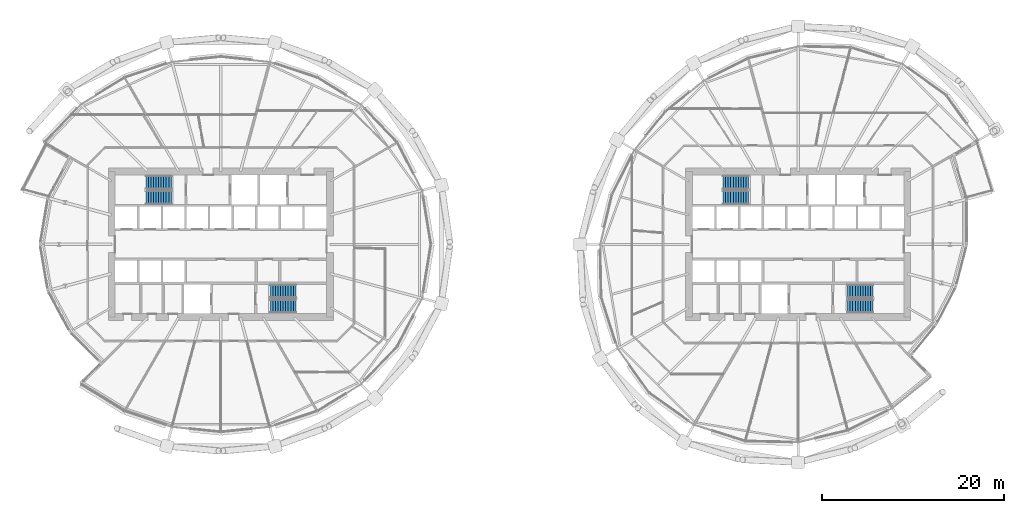
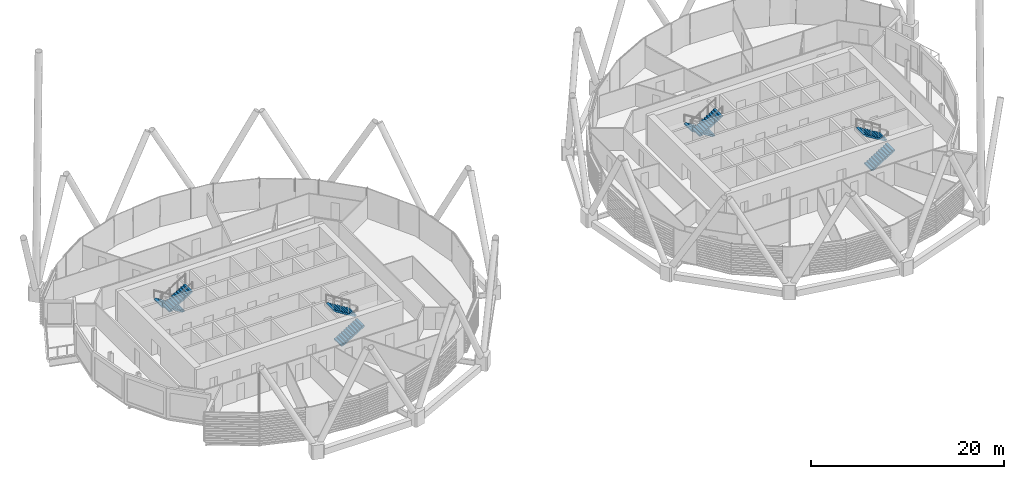
# One storey, part 33 of 39: 8 stair flights, 4 elements without a shape of their own.
"""IFC4 building model written with IfcOpenShell, lengths in metres."""

from ifc_helpers import new_model, si_unit, direction, frame, origin, place, context, subcontext, project, spatial, polyline, outline, extrude, material, type_object, element, aggregate, save


model = new_model("IFC4")

# Units and contexts
model_context = context("Model", 3, precision=1e-05, world=origin(), true_north=direction((0.0, 1.0)))
body_context = subcontext(model_context, "Body", "Model", "MODEL_VIEW")
ifc_project = project(units=[si_unit("LENGTHUNIT", "METRE"), si_unit("AREAUNIT", "SQUARE_METRE"), si_unit("VOLUMEUNIT", "CUBIC_METRE"), si_unit("PLANEANGLEUNIT", "RADIAN"), si_unit("MASSUNIT", "GRAM", prefix="KILO")], contexts=[model_context])

# Site, building, storey
site_placement = place(None, origin())
site = spatial("IfcSite", under=ifc_project, at=site_placement, CompositionType="ELEMENT")
building_placement = place(site_placement, origin())
building = spatial("IfcBuilding", under=site, at=building_placement, Name="Rimbun Link Towers", CompositionType="ELEMENT")
storey_placement = place(building_placement, frame((0.0, 0.0, 115.800048828125)))
storey = spatial("IfcBuildingStorey", under=building, at=storey_placement, Name="L28", CompositionType="ELEMENT", Elevation=115.800048828125)

# Stair, stair flights
ifc_material_1 = material(Name="Concrete C40/50", Category="concrete")
stair_type = type_object("IfcStairType", Name="Exit stair 3800 rise", PredefinedType="HALF_TURN_STAIR", material=ifc_material_1)
stair_1_placement = place(storey_placement, origin())
stair_1 = element("IfcStair", 1, at=stair_1_placement, inside=storey, type_object=stair_type, Name="L28 EXIT STAIR A", PredefinedType="HALF_TURN_STAIR")
ifc_material_2 = material(Name="Concrete C40/50", Category="concrete")
stair_flight_type = type_object("IfcStairFlightType", Name="Exit stair flight 3800 rise", PredefinedType="STRAIGHT", material=ifc_material_2)
stair_flight_1_placement = place(storey_placement, frame((-37.199951171875, 6.800048828125, 0.0), z_axis=(0.0, 0.0, 1.0), x_axis=(-1.0, 0.0, 0.0)))
stair_flight_1 = element("IfcStairFlight", 2, at=stair_flight_1_placement, type_object=stair_flight_type, Name="ST1 flight 1", NumberOfRisers=11, NumberOfTreads=10, PredefinedType="STRAIGHT", RiserHeight=0.172727273, TreadLength=0.28, context=body_context, shape_type="SweptSolid", body=[
    extrude(outline(polyline([(0.0, 0.0), (0.0, 0.172607421875), (0.280029296875, 0.172607421875), (0.280029296875, 0.345458984375), (0.56005859375, 0.345458984375), (0.56005859375, 0.51806640625), (0.840087890625, 0.51806640625), (0.840087890625, 0.69091796875), (1.1201171875, 0.69091796875), (1.1201171875, 0.863525390625), (1.39990234375, 0.863525390625), (1.39990234375, 1.036376953125), (1.679931640625, 1.036376953125), (1.679931640625, 1.208984375), (1.9599609375, 1.208984375), (1.9599609375, 1.3818359375), (2.239990234375, 1.3818359375), (2.239990234375, 1.554443359375), (2.52001953125, 1.554443359375), (2.52001953125, 1.727294921875), (2.800048828125, 1.727294921875), (2.800048828125, 1.89990234375), (2.800048828125, 1.551025390625), (0.280029296875, 0.0), (0.0, 0.0)])), frame((0.0, 0.75, 0.0), z_axis=(0.0, -1.0, 0.0), x_axis=(1.0, 0.0, 0.0)), (0.0, 0.0, 1.0), 1.5),
])
stair_flight_2_placement = place(storey_placement, frame((-40.0, 5.14990234375, 1.89990234375), z_axis=(0.0, 0.0, 1.0), x_axis=(1.0, 0.0, 0.0)))
stair_flight_2 = element("IfcStairFlight", 3, at=stair_flight_2_placement, type_object=stair_flight_type, Name="ST1 flight 2", NumberOfRisers=11, NumberOfTreads=10, PredefinedType="STRAIGHT", RiserHeight=0.172727273, TreadLength=0.28, context=body_context, shape_type="SweptSolid", body=[
    extrude(outline(polyline([(0.0, 0.0), (0.0, 0.172607421875), (0.280029296875, 0.172607421875), (0.280029296875, 0.345458984375), (0.56005859375, 0.345458984375), (0.56005859375, 0.51806640625), (0.840087890625, 0.51806640625), (0.840087890625, 0.69091796875), (1.1201171875, 0.69091796875), (1.1201171875, 0.863525390625), (1.39990234375, 0.863525390625), (1.39990234375, 1.036376953125), (1.679931640625, 1.036376953125), (1.679931640625, 1.208984375), (1.9599609375, 1.208984375), (1.9599609375, 1.3818359375), (2.239990234375, 1.3818359375), (2.239990234375, 1.554443359375), (2.52001953125, 1.554443359375), (2.52001953125, 1.727294921875), (2.800048828125, 1.727294921875), (2.800048828125, 1.89990234375), (2.800048828125, 1.551025390625), (0.280029296875, 0.0), (0.0, 0.0)])), frame((0.0, 0.75, 0.0), z_axis=(0.0, -1.0, 0.0), x_axis=(1.0, 0.0, 0.0)), (0.0, 0.0, 1.0), 1.5),
])
aggregate(stair_1, [stair_flight_1, stair_flight_2])

stair_2_placement = place(storey_placement, origin())
stair_2 = element("IfcStair", 4, at=stair_2_placement, inside=storey, type_object=stair_type, Name="L28 EXIT STAIR B", PredefinedType="HALF_TURN_STAIR")
stair_flight_3_placement = place(storey_placement, frame((-26.300048828125, -6.800048828125, 0.0), z_axis=(0.0, 0.0, 1.0), x_axis=(1.0, 0.0, 0.0)))
stair_flight_3 = element("IfcStairFlight", 5, at=stair_flight_3_placement, type_object=stair_flight_type, Name="ST2 flight 1", NumberOfRisers=11, NumberOfTreads=10, PredefinedType="STRAIGHT", RiserHeight=0.172727273, TreadLength=0.28, context=body_context, shape_type="SweptSolid", body=[
    extrude(outline(polyline([(0.0, 0.0), (0.0, 0.172607421875), (0.280029296875, 0.172607421875), (0.280029296875, 0.345458984375), (0.56005859375, 0.345458984375), (0.56005859375, 0.51806640625), (0.840087890625, 0.51806640625), (0.840087890625, 0.69091796875), (1.1201171875, 0.69091796875), (1.1201171875, 0.863525390625), (1.39990234375, 0.863525390625), (1.39990234375, 1.036376953125), (1.679931640625, 1.036376953125), (1.679931640625, 1.208984375), (1.9599609375, 1.208984375), (1.9599609375, 1.3818359375), (2.239990234375, 1.3818359375), (2.239990234375, 1.554443359375), (2.52001953125, 1.554443359375), (2.52001953125, 1.727294921875), (2.800048828125, 1.727294921875), (2.800048828125, 1.89990234375), (2.800048828125, 1.551025390625), (0.280029296875, 0.0), (0.0, 0.0)])), frame((0.0, 0.75, 0.0), z_axis=(0.0, -1.0, 0.0), x_axis=(1.0, 0.0, 0.0)), (0.0, 0.0, 1.0), 1.5),
])
stair_flight_4_placement = place(storey_placement, frame((-23.5, -5.14990234375, 1.89990234375), z_axis=(0.0, 0.0, 1.0), x_axis=(-1.0, 0.0, 0.0)))
stair_flight_4 = element("IfcStairFlight", 6, at=stair_flight_4_placement, type_object=stair_flight_type, Name="ST2 flight 2", NumberOfRisers=11, NumberOfTreads=10, PredefinedType="STRAIGHT", RiserHeight=0.172727273, TreadLength=0.28, context=body_context, shape_type="SweptSolid", body=[
    extrude(outline(polyline([(0.0, 0.0), (0.0, 0.172607421875), (0.280029296875, 0.172607421875), (0.280029296875, 0.345458984375), (0.56005859375, 0.345458984375), (0.56005859375, 0.51806640625), (0.840087890625, 0.51806640625), (0.840087890625, 0.69091796875), (1.1201171875, 0.69091796875), (1.1201171875, 0.863525390625), (1.39990234375, 0.863525390625), (1.39990234375, 1.036376953125), (1.679931640625, 1.036376953125), (1.679931640625, 1.208984375), (1.9599609375, 1.208984375), (1.9599609375, 1.3818359375), (2.239990234375, 1.3818359375), (2.239990234375, 1.554443359375), (2.52001953125, 1.554443359375), (2.52001953125, 1.727294921875), (2.800048828125, 1.727294921875), (2.800048828125, 1.89990234375), (2.800048828125, 1.551025390625), (0.280029296875, 0.0), (0.0, 0.0)])), frame((0.0, 0.75, 0.0), z_axis=(0.0, -1.0, 0.0), x_axis=(1.0, 0.0, 0.0)), (0.0, 0.0, 1.0), 1.5),
])
aggregate(stair_2, [stair_flight_3, stair_flight_4])

stair_3_placement = place(storey_placement, origin())
stair_3 = element("IfcStair", 7, at=stair_3_placement, inside=storey, type_object=stair_type, Name="L28 EXIT STAIR A", PredefinedType="HALF_TURN_STAIR")
stair_flight_5_placement = place(storey_placement, frame((26.300048828125, 6.800048828125, 0.0), z_axis=(0.0, 0.0, 1.0), x_axis=(-1.0, 0.0, 0.0)))
stair_flight_5 = element("IfcStairFlight", 8, at=stair_flight_5_placement, type_object=stair_flight_type, Name="ST3 flight 1", NumberOfRisers=11, NumberOfTreads=10, PredefinedType="STRAIGHT", RiserHeight=0.172727273, TreadLength=0.28, context=body_context, shape_type="SweptSolid", body=[
    extrude(outline(polyline([(0.0, 0.0), (0.0, 0.172607421875), (0.280029296875, 0.172607421875), (0.280029296875, 0.345458984375), (0.56005859375, 0.345458984375), (0.56005859375, 0.51806640625), (0.840087890625, 0.51806640625), (0.840087890625, 0.69091796875), (1.1201171875, 0.69091796875), (1.1201171875, 0.863525390625), (1.39990234375, 0.863525390625), (1.39990234375, 1.036376953125), (1.679931640625, 1.036376953125), (1.679931640625, 1.208984375), (1.9599609375, 1.208984375), (1.9599609375, 1.3818359375), (2.239990234375, 1.3818359375), (2.239990234375, 1.554443359375), (2.52001953125, 1.554443359375), (2.52001953125, 1.727294921875), (2.800048828125, 1.727294921875), (2.800048828125, 1.89990234375), (2.800048828125, 1.551025390625), (0.280029296875, 0.0), (0.0, 0.0)])), frame((0.0, 0.75, 0.0), z_axis=(0.0, -1.0, 0.0), x_axis=(1.0, 0.0, 0.0)), (0.0, 0.0, 1.0), 1.5),
])
stair_flight_6_placement = place(storey_placement, frame((23.5, 5.14990234375, 1.89990234375), z_axis=(0.0, 0.0, 1.0), x_axis=(1.0, 0.0, 0.0)))
stair_flight_6 = element("IfcStairFlight", 9, at=stair_flight_6_placement, type_object=stair_flight_type, Name="ST3 flight 2", NumberOfRisers=11, NumberOfTreads=10, PredefinedType="STRAIGHT", RiserHeight=0.172727273, TreadLength=0.28, context=body_context, shape_type="SweptSolid", body=[
    extrude(outline(polyline([(0.0, 0.0), (0.0, 0.172607421875), (0.280029296875, 0.172607421875), (0.280029296875, 0.345458984375), (0.56005859375, 0.345458984375), (0.56005859375, 0.51806640625), (0.840087890625, 0.51806640625), (0.840087890625, 0.69091796875), (1.1201171875, 0.69091796875), (1.1201171875, 0.863525390625), (1.39990234375, 0.863525390625), (1.39990234375, 1.036376953125), (1.679931640625, 1.036376953125), (1.679931640625, 1.208984375), (1.9599609375, 1.208984375), (1.9599609375, 1.3818359375), (2.239990234375, 1.3818359375), (2.239990234375, 1.554443359375), (2.52001953125, 1.554443359375), (2.52001953125, 1.727294921875), (2.800048828125, 1.727294921875), (2.800048828125, 1.89990234375), (2.800048828125, 1.551025390625), (0.280029296875, 0.0), (0.0, 0.0)])), frame((0.0, 0.75, 0.0), z_axis=(0.0, -1.0, 0.0), x_axis=(1.0, 0.0, 0.0)), (0.0, 0.0, 1.0), 1.5),
])
aggregate(stair_3, [stair_flight_5, stair_flight_6])

stair_4_placement = place(storey_placement, origin())
stair_4 = element("IfcStair", 10, at=stair_4_placement, inside=storey, type_object=stair_type, Name="L28 EXIT STAIR B", PredefinedType="HALF_TURN_STAIR")
stair_flight_7_placement = place(storey_placement, frame((37.199951171875, -6.800048828125, 0.0), z_axis=(0.0, 0.0, 1.0), x_axis=(1.0, 0.0, 0.0)))
stair_flight_7 = element("IfcStairFlight", 11, at=stair_flight_7_placement, type_object=stair_flight_type, Name="ST4 flight 1", NumberOfRisers=11, NumberOfTreads=10, PredefinedType="STRAIGHT", RiserHeight=0.172727273, TreadLength=0.28, context=body_context, shape_type="SweptSolid", body=[
    extrude(outline(polyline([(0.0, 0.0), (0.0, 0.172607421875), (0.280029296875, 0.172607421875), (0.280029296875, 0.345458984375), (0.56005859375, 0.345458984375), (0.56005859375, 0.51806640625), (0.840087890625, 0.51806640625), (0.840087890625, 0.69091796875), (1.1201171875, 0.69091796875), (1.1201171875, 0.863525390625), (1.39990234375, 0.863525390625), (1.39990234375, 1.036376953125), (1.679931640625, 1.036376953125), (1.679931640625, 1.208984375), (1.9599609375, 1.208984375), (1.9599609375, 1.3818359375), (2.239990234375, 1.3818359375), (2.239990234375, 1.554443359375), (2.52001953125, 1.554443359375), (2.52001953125, 1.727294921875), (2.800048828125, 1.727294921875), (2.800048828125, 1.89990234375), (2.800048828125, 1.551025390625), (0.280029296875, 0.0), (0.0, 0.0)])), frame((0.0, 0.75, 0.0), z_axis=(0.0, -1.0, 0.0), x_axis=(1.0, 0.0, 0.0)), (0.0, 0.0, 1.0), 1.5),
])
stair_flight_8_placement = place(storey_placement, frame((40.0, -5.14990234375, 1.89990234375), z_axis=(0.0, 0.0, 1.0), x_axis=(-1.0, 0.0, 0.0)))
stair_flight_8 = element("IfcStairFlight", 12, at=stair_flight_8_placement, type_object=stair_flight_type, Name="ST4 flight 2", NumberOfRisers=11, NumberOfTreads=10, PredefinedType="STRAIGHT", RiserHeight=0.172727273, TreadLength=0.28, context=body_context, shape_type="SweptSolid", body=[
    extrude(outline(polyline([(0.0, 0.0), (0.0, 0.172607421875), (0.280029296875, 0.172607421875), (0.280029296875, 0.345458984375), (0.56005859375, 0.345458984375), (0.56005859375, 0.51806640625), (0.840087890625, 0.51806640625), (0.840087890625, 0.69091796875), (1.1201171875, 0.69091796875), (1.1201171875, 0.863525390625), (1.39990234375, 0.863525390625), (1.39990234375, 1.036376953125), (1.679931640625, 1.036376953125), (1.679931640625, 1.208984375), (1.9599609375, 1.208984375), (1.9599609375, 1.3818359375), (2.239990234375, 1.3818359375), (2.239990234375, 1.554443359375), (2.52001953125, 1.554443359375), (2.52001953125, 1.727294921875), (2.800048828125, 1.727294921875), (2.800048828125, 1.89990234375), (2.800048828125, 1.551025390625), (0.280029296875, 0.0), (0.0, 0.0)])), frame((0.0, 0.75, 0.0), z_axis=(0.0, -1.0, 0.0), x_axis=(1.0, 0.0, 0.0)), (0.0, 0.0, 1.0), 1.5),
])
aggregate(stair_4, [stair_flight_7, stair_flight_8])

save(model, "model.ifc")
